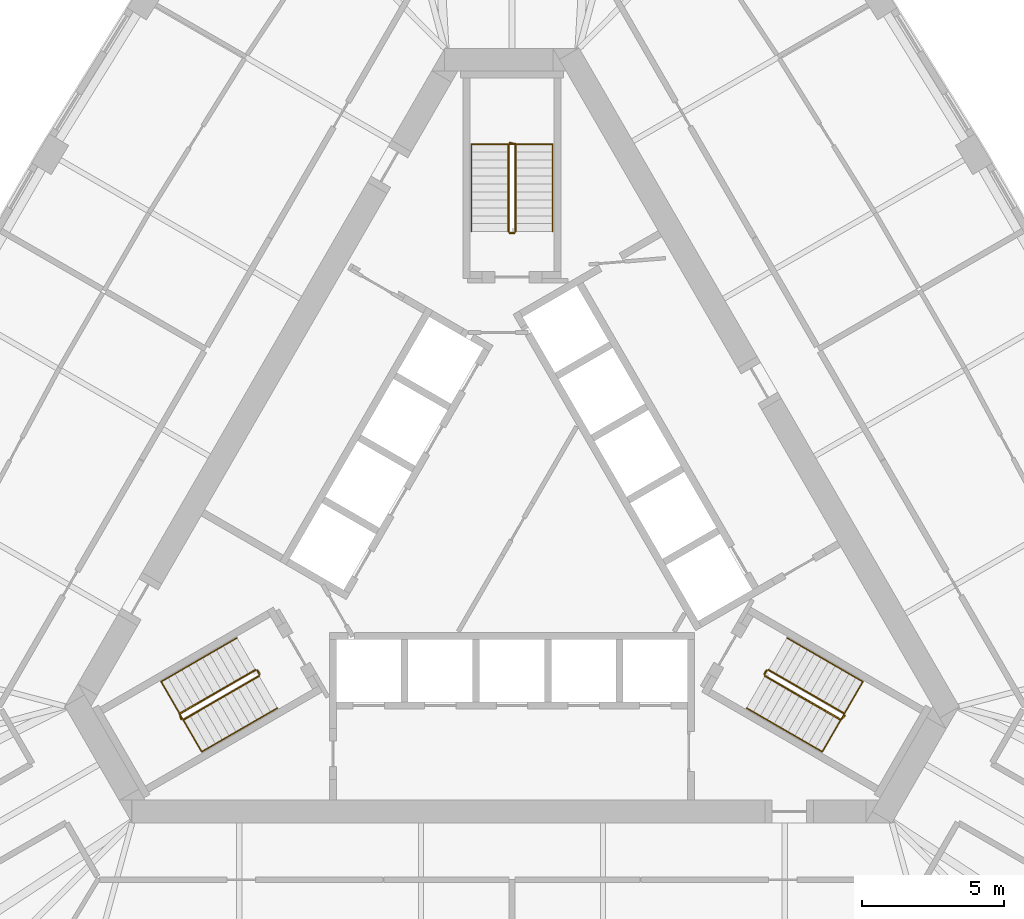
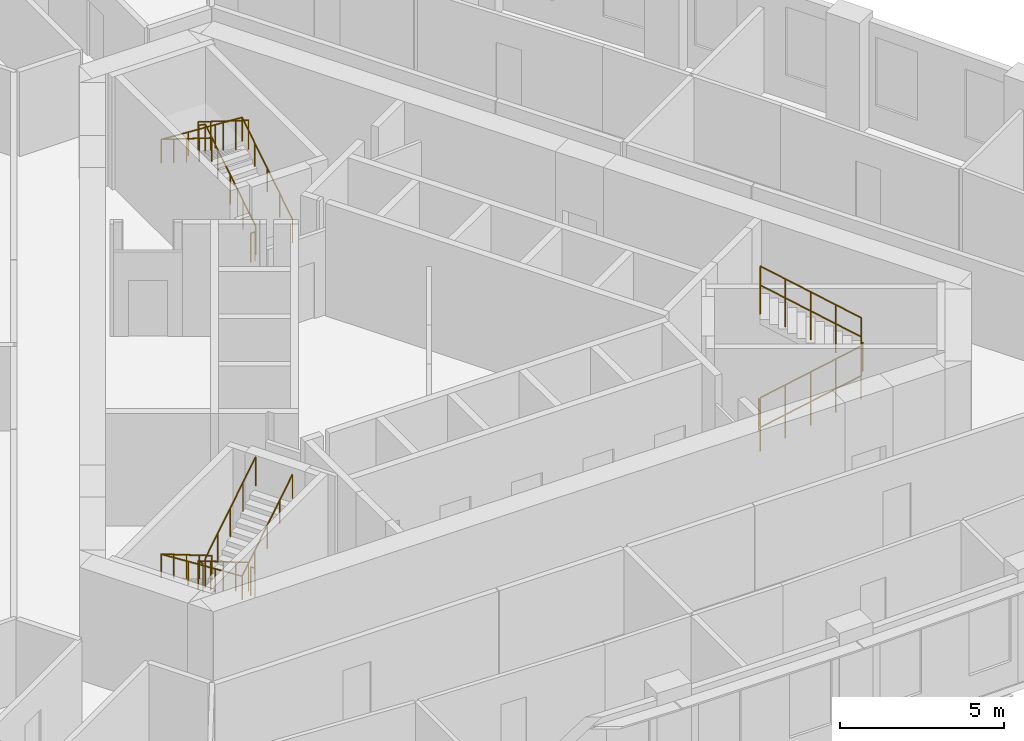
# One storey, part 10 of 10: 12 railings.
"""IFC4 building model written with IfcOpenShell, lengths in metres."""

from ifc_helpers import new_model, si_unit, direction, frame, origin, origin_2d, place, context, subcontext, project, spatial, circle, extrude, material, type_object, element, save


model = new_model("IFC4")

# Units and contexts
model_context = context("Model", 3, precision=1e-05, world=origin(), true_north=direction((0.0, 1.0)))
body_context = subcontext(model_context, "Body", "Model", "MODEL_VIEW")
ifc_project = project(units=[si_unit("LENGTHUNIT", "METRE"), si_unit("AREAUNIT", "SQUARE_METRE"), si_unit("VOLUMEUNIT", "CUBIC_METRE"), si_unit("PLANEANGLEUNIT", "RADIAN"), si_unit("MASSUNIT", "GRAM", prefix="KILO")], contexts=[model_context])

# Site, building, storey
site_placement = place(None, origin())
site = spatial("IfcSite", under=ifc_project, at=site_placement, CompositionType="ELEMENT")
building_placement = place(site_placement, origin())
building = spatial("IfcBuilding", under=site, at=building_placement, Name="Mestral Congress Tower", CompositionType="ELEMENT")
storey_placement = place(building_placement, frame((0.0, 0.0, 158.39990234375)))
storey = spatial("IfcBuildingStorey", under=building, at=storey_placement, Name="L37", CompositionType="ELEMENT", Elevation=158.39990234375)

# Railings
ifc_material_1 = material(Name="Steel balustrade", Category="steel")
railing_type_1 = type_object("IfcRailingType", Name="Stair guard 1100", PredefinedType="GUARDRAIL", material=ifc_material_1)
railing_1_placement = place(storey_placement, frame((8.90087890625, -5.283203125, 0.175048828125)))
element("IfcRailing", 1, at=railing_1_placement, inside=storey, type_object=railing_type_1, Name="L37 ST1 stair guard 1", PredefinedType="GUARDRAIL", context=body_context, shape_type="SweptSolid", body=[
    extrude(circle(Radius=0.02392578125, at=origin_2d()), frame((0.0, 0.0, 1.076171875), z_axis=(0.734364028329, -0.424015404183, 0.530019255228), x_axis=(0.500026652407, 0.866010015463, 0.0)), (0.0, 0.0, 1.0), 3.632080078125),
    extrude(circle(Radius=0.02392578125, at=origin_2d()), frame((2.667236328125, -1.5400390625, 3.0009765625), z_axis=(0.695164929852, 0.718850276695, 0.0), x_axis=(-0.718850276695, 0.695164929852, 0.0)), (0.0, 0.0, 1.0), 0.2060546875),
    extrude(circle(Radius=0.02099609375, at=origin_2d()), origin(), (0.0, 0.0, 1.0), 1.052001953125),
    extrude(circle(Radius=0.02099609375, at=origin_2d()), frame((0.666748046875, -0.385009765625, 0.481201171875)), (0.0, 0.0, 1.0), 1.052001953125),
    extrude(circle(Radius=0.02099609375, at=origin_2d()), frame((1.33349609375, -0.77001953125, 0.96240234375)), (0.0, 0.0, 1.0), 1.052001953125),
    extrude(circle(Radius=0.02099609375, at=origin_2d()), frame((2.00048828125, -1.155029296875, 1.44384765625)), (0.0, 0.0, 1.0), 1.052001953125),
    extrude(circle(Radius=0.02099609375, at=origin_2d()), frame((2.667236328125, -1.5400390625, 1.925048828125)), (0.0, 0.0, 1.0), 1.052001953125),
    extrude(circle(Radius=0.02099609375, at=origin_2d()), frame((2.810546875, -1.391845703125, 1.925048828125)), (0.0, 0.0, 1.0), 1.052001953125),
])
railing_2_placement = place(storey_placement, frame((11.693115234375, -6.606689453125, 2.275146484375)))
element("IfcRailing", 2, at=railing_2_placement, inside=storey, type_object=railing_type_1, Name="L37 ST1 stair guard 2", PredefinedType="GUARDRAIL", context=body_context, shape_type="SweptSolid", body=[
    extrude(circle(Radius=0.02392578125, at=origin_2d()), frame((0.0, 0.0, 1.076171875), z_axis=(-0.734364028329, 0.424015404183, 0.530019255228), x_axis=(-0.500026652407, -0.866010015463, 0.0)), (0.0, 0.0, 1.0), 3.632080078125),
    extrude(circle(Radius=0.02099609375, at=origin_2d()), origin(), (0.0, 0.0, 1.0), 1.052001953125),
    extrude(circle(Radius=0.02099609375, at=origin_2d()), frame((-0.666748046875, 0.385009765625, 0.481201171875)), (0.0, 0.0, 1.0), 1.052001953125),
    extrude(circle(Radius=0.02099609375, at=origin_2d()), frame((-1.33349609375, 0.77001953125, 0.96240234375)), (0.0, 0.0, 1.0), 1.052001953125),
    extrude(circle(Radius=0.02099609375, at=origin_2d()), frame((-2.00048828125, 1.155029296875, 1.44384765625)), (0.0, 0.0, 1.0), 1.052001953125),
    extrude(circle(Radius=0.02099609375, at=origin_2d()), frame((-2.667236328125, 1.5400390625, 1.925048828125)), (0.0, 0.0, 1.0), 1.052001953125),
])
railing_3_placement = place(storey_placement, frame((8.882568359375, -5.21484375, 0.0)))
element("IfcRailing", 3, at=railing_3_placement, inside=storey, type_object=railing_type_1, Name="L37 ST1 stair guard 3", PredefinedType="GUARDRAIL", context=body_context, shape_type="SweptSolid", body=[
    extrude(circle(Radius=0.02392578125, at=origin_2d()), frame((0.0, 0.0, 1.076171875), z_axis=(0.499816412211, 0.866131372301, 0.0), x_axis=(-0.866131372301, 0.499816412211, 0.0)), (0.0, 0.0, 1.0), 0.14990234375),
    extrude(circle(Radius=0.02099609375, at=origin_2d()), origin(), (0.0, 0.0, 1.0), 1.052001953125),
    extrude(circle(Radius=0.02099609375, at=origin_2d()), frame((0.074951171875, 0.1298828125, 0.0)), (0.0, 0.0, 1.0), 1.052001953125),
])
railing_4_placement = place(storey_placement, frame((0.125, 10.35009765625, 0.175048828125)))
element("IfcRailing", 4, at=railing_4_placement, inside=storey, type_object=railing_type_1, Name="L37 ST2 stair guard 1", PredefinedType="GUARDRAIL", context=body_context, shape_type="SweptSolid", body=[
    extrude(circle(Radius=0.02392578125, at=origin_2d()), frame((0.0, 0.0, 1.076171875), z_axis=(0.0, 0.847979421464, 0.530029150871), x_axis=(-1.0, 0.0, 0.0)), (0.0, 0.0, 1.0), 3.632080078125),
    extrude(circle(Radius=0.02392578125, at=origin_2d()), frame((0.0, 3.079833984375, 3.0009765625), z_axis=(-0.970072785993, 0.242814311512, 0.0), x_axis=(-0.242814311512, -0.970072785993, 0.0)), (0.0, 0.0, 1.0), 0.2060546875),
    extrude(circle(Radius=0.02099609375, at=origin_2d()), origin(), (0.0, 0.0, 1.0), 1.052001953125),
    extrude(circle(Radius=0.02099609375, at=origin_2d()), frame((0.0, 0.77001953125, 0.481201171875)), (0.0, 0.0, 1.0), 1.052001953125),
    extrude(circle(Radius=0.02099609375, at=origin_2d()), frame((0.0, 1.5400390625, 0.96240234375)), (0.0, 0.0, 1.0), 1.052001953125),
    extrude(circle(Radius=0.02099609375, at=origin_2d()), frame((0.0, 2.309814453125, 1.44384765625)), (0.0, 0.0, 1.0), 1.052001953125),
    extrude(circle(Radius=0.02099609375, at=origin_2d()), frame((0.0, 3.079833984375, 1.925048828125)), (0.0, 0.0, 1.0), 1.052001953125),
    extrude(circle(Radius=0.02099609375, at=origin_2d()), frame((-0.199951171875, 3.1298828125, 1.925048828125)), (0.0, 0.0, 1.0), 1.052001953125),
])
railing_5_placement = place(storey_placement, frame((-0.125, 13.429931640625, 2.275146484375)))
element("IfcRailing", 5, at=railing_5_placement, inside=storey, type_object=railing_type_1, Name="L37 ST2 stair guard 2", PredefinedType="GUARDRAIL", context=body_context, shape_type="SweptSolid", body=[
    extrude(circle(Radius=0.02392578125, at=origin_2d()), frame((0.0, 0.0, 1.076171875), z_axis=(0.0, -0.847979421464, 0.530029150871), x_axis=(1.0, 0.0, 0.0)), (0.0, 0.0, 1.0), 3.632080078125),
    extrude(circle(Radius=0.02099609375, at=origin_2d()), origin(), (0.0, 0.0, 1.0), 1.052001953125),
    extrude(circle(Radius=0.02099609375, at=origin_2d()), frame((0.0, -0.77001953125, 0.481201171875)), (0.0, 0.0, 1.0), 1.052001953125),
    extrude(circle(Radius=0.02099609375, at=origin_2d()), frame((0.0, -1.5400390625, 0.96240234375)), (0.0, 0.0, 1.0), 1.052001953125),
    extrude(circle(Radius=0.02099609375, at=origin_2d()), frame((0.0, -2.309814453125, 1.44384765625)), (0.0, 0.0, 1.0), 1.052001953125),
    extrude(circle(Radius=0.02099609375, at=origin_2d()), frame((0.0, -3.079833984375, 1.925048828125)), (0.0, 0.0, 1.0), 1.052001953125),
])
railing_6_placement = place(storey_placement, frame((0.074951171875, 10.300048828125, 0.0)))
element("IfcRailing", 6, at=railing_6_placement, inside=storey, type_object=railing_type_1, Name="L37 ST2 stair guard 3", PredefinedType="GUARDRAIL", context=body_context, shape_type="SweptSolid", body=[
    extrude(circle(Radius=0.02392578125, at=origin_2d()), frame((0.0, 0.0, 1.076171875), z_axis=(-1.0, 0.0, 0.0), x_axis=(0.0, -1.0, 0.0)), (0.0, 0.0, 1.0), 0.14990234375),
    extrude(circle(Radius=0.02099609375, at=origin_2d()), origin(), (0.0, 0.0, 1.0), 1.052001953125),
    extrude(circle(Radius=0.02099609375, at=origin_2d()), frame((-0.14990234375, 0.0, 0.0)), (0.0, 0.0, 1.0), 1.052001953125),
])
railing_7_placement = place(storey_placement, frame((-9.02587890625, -5.066650390625, 0.175048828125)))
element("IfcRailing", 7, at=railing_7_placement, inside=storey, type_object=railing_type_1, Name="L37 ST3 stair guard 1", PredefinedType="GUARDRAIL", context=body_context, shape_type="SweptSolid", body=[
    extrude(circle(Radius=0.02392578125, at=origin_2d()), frame((0.0, 0.0, 1.076171875), z_axis=(-0.734364028329, -0.424015404183, 0.530019255228), x_axis=(0.500026652407, -0.866010015463, 0.0)), (0.0, 0.0, 1.0), 3.632080078125),
    extrude(circle(Radius=0.02392578125, at=origin_2d()), frame((-2.667236328125, -1.5400390625, 3.0009765625), z_axis=(0.274721127897, -0.961523947641, 0.0), x_axis=(0.961523947641, 0.274721127897, 0.0)), (0.0, 0.0, 1.0), 0.2060546875),
    extrude(circle(Radius=0.02099609375, at=origin_2d()), origin(), (0.0, 0.0, 1.0), 1.052001953125),
    extrude(circle(Radius=0.02099609375, at=origin_2d()), frame((-0.666748046875, -0.385009765625, 0.481201171875)), (0.0, 0.0, 1.0), 1.052001953125),
    extrude(circle(Radius=0.02099609375, at=origin_2d()), frame((-1.33349609375, -0.77001953125, 0.96240234375)), (0.0, 0.0, 1.0), 1.052001953125),
    extrude(circle(Radius=0.02099609375, at=origin_2d()), frame((-2.00048828125, -1.155029296875, 1.44384765625)), (0.0, 0.0, 1.0), 1.052001953125),
    extrude(circle(Radius=0.02099609375, at=origin_2d()), frame((-2.667236328125, -1.5400390625, 1.925048828125)), (0.0, 0.0, 1.0), 1.052001953125),
    extrude(circle(Radius=0.02099609375, at=origin_2d()), frame((-2.610595703125, -1.73828125, 1.925048828125)), (0.0, 0.0, 1.0), 1.052001953125),
])
railing_8_placement = place(storey_placement, frame((-11.568115234375, -6.8232421875, 2.275146484375)))
element("IfcRailing", 8, at=railing_8_placement, inside=storey, type_object=railing_type_1, Name="L37 ST3 stair guard 2", PredefinedType="GUARDRAIL", context=body_context, shape_type="SweptSolid", body=[
    extrude(circle(Radius=0.02392578125, at=origin_2d()), frame((0.0, 0.0, 1.076171875), z_axis=(0.734364028329, 0.424015404183, 0.530019255228), x_axis=(-0.500026652407, 0.866010015463, 0.0)), (0.0, 0.0, 1.0), 3.632080078125),
    extrude(circle(Radius=0.02099609375, at=origin_2d()), origin(), (0.0, 0.0, 1.0), 1.052001953125),
    extrude(circle(Radius=0.02099609375, at=origin_2d()), frame((0.666748046875, 0.385009765625, 0.481201171875)), (0.0, 0.0, 1.0), 1.052001953125),
    extrude(circle(Radius=0.02099609375, at=origin_2d()), frame((1.33349609375, 0.77001953125, 0.96240234375)), (0.0, 0.0, 1.0), 1.052001953125),
    extrude(circle(Radius=0.02099609375, at=origin_2d()), frame((2.00048828125, 1.155029296875, 1.44384765625)), (0.0, 0.0, 1.0), 1.052001953125),
    extrude(circle(Radius=0.02099609375, at=origin_2d()), frame((2.667236328125, 1.5400390625, 1.925048828125)), (0.0, 0.0, 1.0), 1.052001953125),
])
railing_9_placement = place(storey_placement, frame((-8.95751953125, -5.0849609375, 0.0)))
element("IfcRailing", 9, at=railing_9_placement, inside=storey, type_object=railing_type_1, Name="L37 ST3 stair guard 3", PredefinedType="GUARDRAIL", context=body_context, shape_type="SweptSolid", body=[
    extrude(circle(Radius=0.02392578125, at=origin_2d()), frame((0.0, 0.0, 1.076171875), z_axis=(0.499816412211, -0.866131372301, 0.0), x_axis=(0.866131372301, 0.499816412211, 0.0)), (0.0, 0.0, 1.0), 0.14990234375),
    extrude(circle(Radius=0.02099609375, at=origin_2d()), origin(), (0.0, 0.0, 1.0), 1.052001953125),
    extrude(circle(Radius=0.02099609375, at=origin_2d()), frame((0.074951171875, -0.1298828125, 0.0)), (0.0, 0.0, 1.0), 1.052001953125),
])
ifc_material_2 = material(Name="Steel handrail", Category="steel")
railing_type_2 = type_object("IfcRailingType", Name="Stair handrail 900", PredefinedType="HANDRAIL", material=ifc_material_2)
railing_10_placement = place(storey_placement, frame((8.2509765625, -6.4091796875, 0.175048828125)))
element("IfcRailing", 10, at=railing_10_placement, inside=storey, type_object=railing_type_2, Name="L37 ST1 stair handrail 1", PredefinedType="HANDRAIL", context=body_context, shape_type="SweptSolid", body=[
    extrude(circle(Radius=0.02392578125, at=origin_2d()), frame((0.0, 0.0, 0.8759765625), z_axis=(0.734384958227, -0.423960268333, 0.530034361155), x_axis=(0.499967199496, 0.866044340336, 0.0)), (0.0, 0.0, 1.0), 3.6318359375),
    extrude(circle(Radius=0.02392578125, at=origin_2d()), frame((2.667236328125, -1.539794921875, 2.80078125), z_axis=(0.499095769026, 0.864375386171, 0.061307463833), x_axis=(-0.866004402611, 0.500036373335, 0.0)), (0.0, 0.0, 1.0), 2.855224609375),
    extrude(circle(Radius=0.02392578125, at=origin_2d()), frame((4.09228515625, 0.92822265625, 2.97607421875), z_axis=(-0.734394994316, 0.423994474112, 0.52999309264), x_axis=(-0.499992328818, -0.866029832698, 0.0)), (0.0, 0.0, 1.0), 3.63232421875),
    extrude(circle(Radius=0.02099609375, at=origin_2d()), origin(), (0.0, 0.0, 1.0), 0.851806640625),
    extrude(circle(Radius=0.02099609375, at=origin_2d()), frame((0.666748046875, -0.385009765625, 0.481201171875)), (0.0, 0.0, 1.0), 0.851806640625),
    extrude(circle(Radius=0.02099609375, at=origin_2d()), frame((1.33349609375, -0.77001953125, 0.96240234375)), (0.0, 0.0, 1.0), 0.851806640625),
    extrude(circle(Radius=0.02099609375, at=origin_2d()), frame((2.00048828125, -1.15478515625, 1.44384765625)), (0.0, 0.0, 1.0), 0.851806640625),
    extrude(circle(Radius=0.02099609375, at=origin_2d()), frame((2.667236328125, -1.539794921875, 1.925048828125)), (0.0, 0.0, 1.0), 0.851806640625),
    extrude(circle(Radius=0.02099609375, at=origin_2d()), frame((3.142333984375, -0.717041015625, 1.9833984375)), (0.0, 0.0, 1.0), 0.851806640625),
    extrude(circle(Radius=0.02099609375, at=origin_2d()), frame((3.6171875, 0.10546875, 2.041748046875)), (0.0, 0.0, 1.0), 0.851806640625),
    extrude(circle(Radius=0.02099609375, at=origin_2d()), frame((4.09228515625, 0.92822265625, 2.10009765625)), (0.0, 0.0, 1.0), 0.851806640625),
    extrude(circle(Radius=0.02099609375, at=origin_2d()), frame((3.42529296875, 1.313232421875, 2.581298828125)), (0.0, 0.0, 1.0), 0.851806640625),
    extrude(circle(Radius=0.02099609375, at=origin_2d()), frame((2.758544921875, 1.6982421875, 3.0625)), (0.0, 0.0, 1.0), 0.851806640625),
    extrude(circle(Radius=0.02099609375, at=origin_2d()), frame((2.091796875, 2.083251953125, 3.5439453125)), (0.0, 0.0, 1.0), 0.851806640625),
    extrude(circle(Radius=0.02099609375, at=origin_2d()), frame((1.4248046875, 2.46826171875, 4.025146484375)), (0.0, 0.0, 1.0), 0.851806640625),
])
railing_11_placement = place(storey_placement, frame((1.425048828125, 10.35009765625, 0.175048828125)))
element("IfcRailing", 11, at=railing_11_placement, inside=storey, type_object=railing_type_2, Name="L37 ST2 stair handrail 1", PredefinedType="HANDRAIL", context=body_context, shape_type="SweptSolid", body=[
    extrude(circle(Radius=0.02392578125, at=origin_2d()), frame((0.0, 0.0, 0.8759765625), z_axis=(0.0, 0.847979421464, 0.530029150871), x_axis=(-1.0, 0.0, 0.0)), (0.0, 0.0, 1.0), 3.632080078125),
    extrude(circle(Radius=0.02392578125, at=origin_2d()), frame((0.0, 3.079833984375, 2.80078125), z_axis=(-0.998119201106, 0.0, 0.061303021003), x_axis=(0.0, -1.0, 0.0)), (0.0, 0.0, 1.0), 2.85546875),
    extrude(circle(Radius=0.02392578125, at=origin_2d()), frame((-2.85009765625, 3.079833984375, 2.97607421875), z_axis=(0.0, -0.847979421464, 0.530029150871), x_axis=(1.0, 0.0, 0.0)), (0.0, 0.0, 1.0), 3.632080078125),
    extrude(circle(Radius=0.02099609375, at=origin_2d()), origin(), (0.0, 0.0, 1.0), 0.851806640625),
    extrude(circle(Radius=0.02099609375, at=origin_2d()), frame((0.0, 0.77001953125, 0.481201171875)), (0.0, 0.0, 1.0), 0.851806640625),
    extrude(circle(Radius=0.02099609375, at=origin_2d()), frame((0.0, 1.5400390625, 0.96240234375)), (0.0, 0.0, 1.0), 0.851806640625),
    extrude(circle(Radius=0.02099609375, at=origin_2d()), frame((0.0, 2.309814453125, 1.44384765625)), (0.0, 0.0, 1.0), 0.851806640625),
    extrude(circle(Radius=0.02099609375, at=origin_2d()), frame((0.0, 3.079833984375, 1.925048828125)), (0.0, 0.0, 1.0), 0.851806640625),
    extrude(circle(Radius=0.02099609375, at=origin_2d()), frame((-0.949951171875, 3.079833984375, 1.9833984375)), (0.0, 0.0, 1.0), 0.851806640625),
    extrude(circle(Radius=0.02099609375, at=origin_2d()), frame((-1.900146484375, 3.079833984375, 2.041748046875)), (0.0, 0.0, 1.0), 0.851806640625),
    extrude(circle(Radius=0.02099609375, at=origin_2d()), frame((-2.85009765625, 3.079833984375, 2.10009765625)), (0.0, 0.0, 1.0), 0.851806640625),
    extrude(circle(Radius=0.02099609375, at=origin_2d()), frame((-2.85009765625, 2.309814453125, 2.581298828125)), (0.0, 0.0, 1.0), 0.851806640625),
    extrude(circle(Radius=0.02099609375, at=origin_2d()), frame((-2.85009765625, 1.5400390625, 3.0625)), (0.0, 0.0, 1.0), 0.851806640625),
    extrude(circle(Radius=0.02099609375, at=origin_2d()), frame((-2.85009765625, 0.77001953125, 3.5439453125)), (0.0, 0.0, 1.0), 0.851806640625),
    extrude(circle(Radius=0.02099609375, at=origin_2d()), frame((-2.85009765625, 0.0, 4.025146484375)), (0.0, 0.0, 1.0), 0.851806640625),
])
railing_12_placement = place(storey_placement, frame((-9.67578125, -3.94091796875, 0.175048828125)))
element("IfcRailing", 12, at=railing_12_placement, inside=storey, type_object=railing_type_2, Name="L37 ST3 stair handrail 1", PredefinedType="HANDRAIL", context=body_context, shape_type="SweptSolid", body=[
    extrude(circle(Radius=0.02392578125, at=origin_2d()), frame((0.0, 0.0, 0.8759765625), z_axis=(-0.734394994316, -0.423994474112, 0.52999309264), x_axis=(0.499992328818, -0.866029832698, 0.0)), (0.0, 0.0, 1.0), 3.63232421875),
    extrude(circle(Radius=0.02392578125, at=origin_2d()), frame((-2.66748046875, -1.5400390625, 2.80078125), z_axis=(0.499095769026, -0.864375386171, 0.061307463833), x_axis=(0.866004402611, 0.500036373335, 0.0)), (0.0, 0.0, 1.0), 2.855224609375),
    extrude(circle(Radius=0.02392578125, at=origin_2d()), frame((-1.242431640625, -4.008056640625, 2.97607421875), z_axis=(0.734384958227, 0.423960268333, 0.530034361155), x_axis=(-0.499967199496, 0.866044340336, 0.0)), (0.0, 0.0, 1.0), 3.6318359375),
    extrude(circle(Radius=0.02099609375, at=origin_2d()), origin(), (0.0, 0.0, 1.0), 0.851806640625),
    extrude(circle(Radius=0.02099609375, at=origin_2d()), frame((-0.6669921875, -0.385009765625, 0.481201171875)), (0.0, 0.0, 1.0), 0.851806640625),
    extrude(circle(Radius=0.02099609375, at=origin_2d()), frame((-1.333740234375, -0.77001953125, 0.96240234375)), (0.0, 0.0, 1.0), 0.851806640625),
    extrude(circle(Radius=0.02099609375, at=origin_2d()), frame((-2.00048828125, -1.155029296875, 1.44384765625)), (0.0, 0.0, 1.0), 0.851806640625),
    extrude(circle(Radius=0.02099609375, at=origin_2d()), frame((-2.66748046875, -1.5400390625, 1.925048828125)), (0.0, 0.0, 1.0), 0.851806640625),
    extrude(circle(Radius=0.02099609375, at=origin_2d()), frame((-2.1923828125, -2.36279296875, 1.9833984375)), (0.0, 0.0, 1.0), 0.851806640625),
    extrude(circle(Radius=0.02099609375, at=origin_2d()), frame((-1.717529296875, -3.185302734375, 2.041748046875)), (0.0, 0.0, 1.0), 0.851806640625),
    extrude(circle(Radius=0.02099609375, at=origin_2d()), frame((-1.242431640625, -4.008056640625, 2.10009765625)), (0.0, 0.0, 1.0), 0.851806640625),
    extrude(circle(Radius=0.02099609375, at=origin_2d()), frame((-0.57568359375, -3.623046875, 2.581298828125)), (0.0, 0.0, 1.0), 0.851806640625),
    extrude(circle(Radius=0.02099609375, at=origin_2d()), frame((0.09130859375, -3.23828125, 3.0625)), (0.0, 0.0, 1.0), 0.851806640625),
    extrude(circle(Radius=0.02099609375, at=origin_2d()), frame((0.758056640625, -2.853271484375, 3.5439453125)), (0.0, 0.0, 1.0), 0.851806640625),
    extrude(circle(Radius=0.02099609375, at=origin_2d()), frame((1.4248046875, -2.46826171875, 4.025146484375)), (0.0, 0.0, 1.0), 0.851806640625),
])

save(model, "model.ifc")
